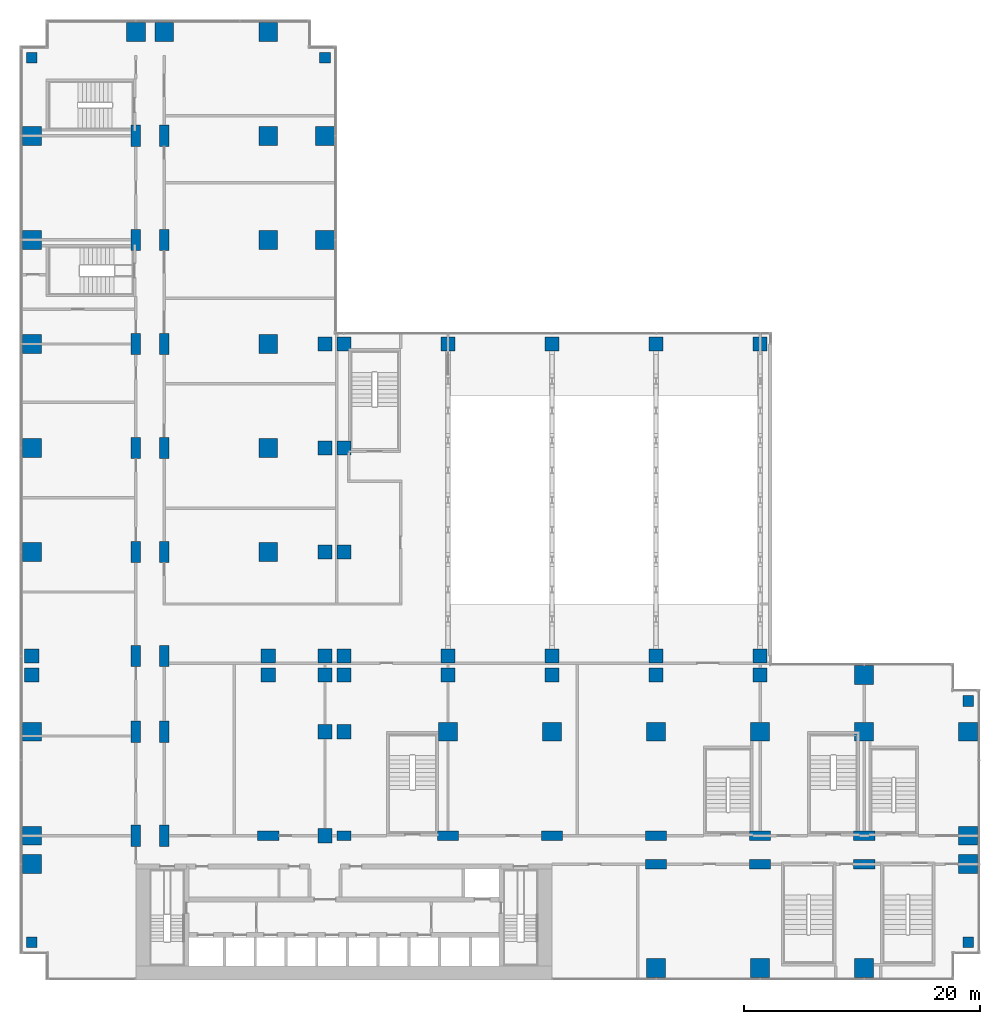
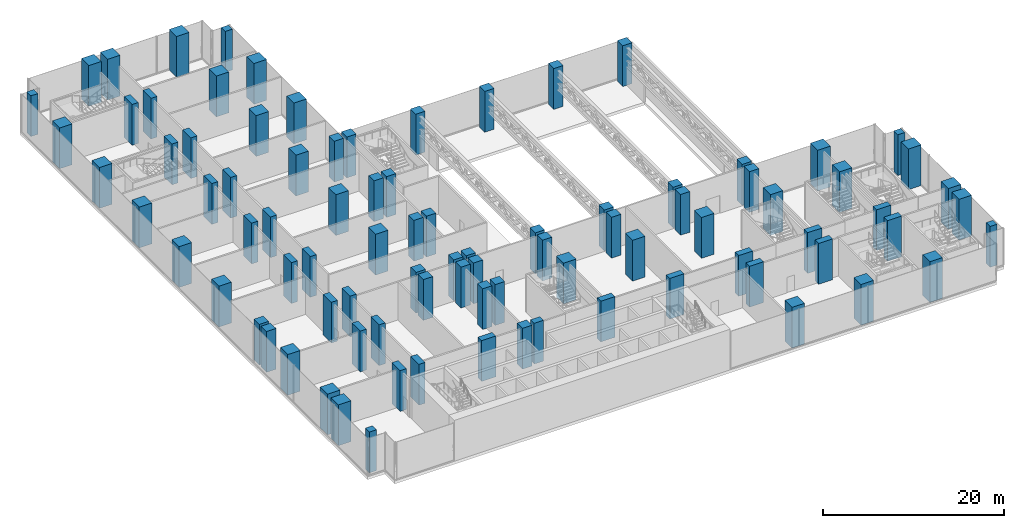
# One storey, part 1 of 30: 90 columns.
"""IFC4 building model written with IfcOpenShell, lengths in metres."""

from ifc_helpers import new_model, si_unit, direction, frame, origin, origin_2d, place, context, subcontext, project, spatial, rectangle, extrude, material, material_profile, profile_set, type_object, element, save


model = new_model("IFC4")

# Units and contexts
model_context = context("Model", 3, precision=1e-05, world=origin(), true_north=direction((0.0, 1.0)))
body_context = subcontext(model_context, "Body", "Model", "MODEL_VIEW")
ifc_project = project(units=[si_unit("LENGTHUNIT", "METRE"), si_unit("AREAUNIT", "SQUARE_METRE"), si_unit("VOLUMEUNIT", "CUBIC_METRE"), si_unit("PLANEANGLEUNIT", "RADIAN"), si_unit("MASSUNIT", "GRAM", prefix="KILO")], contexts=[model_context])

# Site, building, storey
site_placement = place(None, origin())
site = spatial("IfcSite", under=ifc_project, at=site_placement, CompositionType="ELEMENT")
building_placement = place(site_placement, origin())
building = spatial("IfcBuilding", under=site, at=building_placement, Name="Kemantara Hotel Tower", CompositionType="ELEMENT")
storey_placement = place(building_placement, frame((0.0, 0.0, 23.5)))
storey = spatial("IfcBuildingStorey", under=building, at=storey_placement, Name="L04", CompositionType="ELEMENT", Elevation=23.5)

# Columns
ifc_material = material(Name="Concrete fc 70 MPa", Category="concrete")
ifc_material_profile_1 = material_profile(ifc_material, rectangle(XDim=1.199951171875, YDim=1.199951171875, at=origin_2d()), Name="RC 1200X1200")
ifc_profile_set_1 = profile_set([ifc_material_profile_1], Name="Concrete fc 70 MPa")
column_type_1 = type_object("IfcColumnType", Name="RC COLUMN 1200X1200 FC70", PredefinedType="COLUMN", material=ifc_profile_set_1)
for number, where, z_axis, x_axis, name in (
    (1, (1.0, 25.800048828125, 0.0), (0.0, 0.0, 1.0), (1.0, 0.0, 0.0), "COLUMN 1/CA L04"),
    (2, (1.0, 27.39990234375, 0.0), (0.0, 0.0, 1.0), (1.0, 0.0, 0.0), "COLUMN 1/D L04"),
    (3, (21.0, 25.800048828125, 0.0), (0.0, 0.0, 1.0), (1.0, 0.0, 0.0), "COLUMN 3/CA L04"),
    (4, (21.0, 27.39990234375, 0.0), (0.0, 0.0, 1.0), (1.0, 0.0, 0.0), "COLUMN 3/D L04"),
    (5, (25.800048828125, 12.199951171875, 0.0), (0.0, 0.0, 1.0), (1.0, 0.0, 0.0), "COLUMN 3A/BA L04"),
    (6, (25.800048828125, 21.0, 0.0), (0.0, 0.0, 1.0), (1.0, 0.0, 0.0), "COLUMN 3A/C L04"),
    (7, (25.800048828125, 25.800048828125, 0.0), (0.0, 0.0, 1.0), (1.0, 0.0, 0.0), "COLUMN 3A/CA L04"),
    (8, (25.800048828125, 27.39990234375, 0.0), (0.0, 0.0, 1.0), (1.0, 0.0, 0.0), "COLUMN 3A/D L04"),
    (9, (25.800048828125, 36.199951171875, 0.0), (0.0, 0.0, 1.0), (1.0, 0.0, 0.0), "COLUMN 3A/E L04"),
    (10, (25.800048828125, 45.0, 0.0), (0.0, 0.0, 1.0), (1.0, 0.0, 0.0), "COLUMN 3A/F L04"),
    (11, (25.800048828125, 53.800048828125, 0.0), (0.0, 0.0, 1.0), (1.0, 0.0, 0.0), "COLUMN 3A/G L04"),
    (12, (27.39990234375, 21.0, 0.0), (0.0, 0.0, 1.0), (1.0, 0.0, 0.0), "COLUMN 4/C L04"),
    (13, (27.39990234375, 25.800048828125, 0.0), (0.0, 0.0, 1.0), (1.0, 0.0, 0.0), "COLUMN 4/CA L04"),
    (14, (36.199951171875, 25.800048828125, 0.0), (0.0, 0.0, 1.0), (1.0, 0.0, 0.0), "COLUMN 5/CA L04"),
    (15, (45.0, 25.800048828125, 0.0), (0.0, 0.0, 1.0), (1.0, 0.0, 0.0), "COLUMN 6/CA L04"),
    (16, (53.800048828125, 25.800048828125, 0.0), (0.0, 0.0, 1.0), (1.0, 0.0, 0.0), "COLUMN 7/CA L04"),
    (17, (62.60009765625, 25.800048828125, 0.0), (0.0, 0.0, 1.0), (1.0, 0.0, 0.0), "COLUMN 8/CA L04"),
    (18, (27.39990234375, 27.39990234375, 0.0), (0.0, 0.0, 1.0), (1.0, 0.0, 0.0), "COLUMN 4/D L04"),
    (19, (27.39990234375, 36.199951171875, 0.0), (0.0, 0.0, 1.0), (1.0, 0.0, 0.0), "COLUMN 4/E L04"),
    (20, (27.39990234375, 45.0, 0.0), (0.0, 0.0, 1.0), (1.0, 0.0, 0.0), "COLUMN 4/F L04"),
    (21, (27.39990234375, 53.800048828125, 0.0), (0.0, 0.0, 1.0), (1.0, 0.0, 0.0), "COLUMN 4/G L04"),
    (22, (36.199951171875, 27.39990234375, 0.0), (0.0, 0.0, 1.0), (1.0, 0.0, 0.0), "COLUMN 5/D L04"),
    (23, (36.199951171875, 53.800048828125, 0.0), (0.0, 0.0, 1.0), (1.0, 0.0, 0.0), "COLUMN 5/G L04"),
    (24, (45.0, 27.39990234375, 0.0), (0.0, 0.0, 1.0), (1.0, 0.0, 0.0), "COLUMN 6/D L04"),
    (25, (45.0, 53.800048828125, 0.0), (0.0, 0.0, 1.0), (1.0, 0.0, 0.0), "COLUMN 6/G L04"),
    (26, (53.800048828125, 27.39990234375, 0.0), (0.0, 0.0, 1.0), (1.0, 0.0, 0.0), "COLUMN 7/D L04"),
    (27, (53.800048828125, 53.800048828125, 0.0), (0.0, 0.0, 1.0), (1.0, 0.0, 0.0), "COLUMN 7/G L04"),
    (28, (62.60009765625, 27.39990234375, 0.0), (0.0, 0.0, 1.0), (1.0, 0.0, 0.0), "COLUMN 8/D L04"),
    (29, (62.60009765625, 53.800048828125, 0.0), (0.0, 0.0, 1.0), (1.0, 0.0, 0.0), "COLUMN 8/G L04"),
):
    element("IfcColumn", number, at=place(storey_placement, frame(where, z_axis=z_axis, x_axis=x_axis)), inside=storey, type_object=column_type_1, Name=name, PredefinedType="COLUMN", context=body_context, shape_type="SweptSolid", body=[
        extrude(rectangle(XDim=1.199951171875, YDim=1.199951171875, at=origin_2d()), origin(), (0.0, 0.0, 1.0), 5.5),
    ])
ifc_material_profile_2 = material_profile(ifc_material, rectangle(XDim=1.199951171875, YDim=0.800048828125, at=origin_2d()), Name="RC 1200X800")
ifc_profile_set_2 = profile_set([ifc_material_profile_2], Name="Concrete fc 70 MPa")
column_type_2 = type_object("IfcColumnType", Name="RC COLUMN 1200X800 FC70", PredefinedType="COLUMN", material=ifc_profile_set_2)
column_placement = place(storey_placement, frame((27.39990234375, 12.199951171875, 0.0), z_axis=(0.0, 0.0, 1.0), x_axis=(1.0, 0.0, 0.0)))
element("IfcColumn", 30, at=column_placement, inside=storey, type_object=column_type_2, Name="COLUMN 4/BA L04", PredefinedType="COLUMN", context=body_context, shape_type="SweptSolid", body=[
    extrude(rectangle(XDim=1.199951171875, YDim=0.800048828125, at=origin_2d()), origin(), (0.0, 0.0, 1.0), 5.5),
])
ifc_material_profile_3 = material_profile(ifc_material, rectangle(XDim=1.60009765625, YDim=1.60009765625, at=origin_2d()), Name="RC 1600X1600")
ifc_profile_set_3 = profile_set([ifc_material_profile_3], Name="Concrete fc 70 MPa")
column_type_3 = type_object("IfcColumnType", Name="RC COLUMN 1600X1600 FC70", PredefinedType="COLUMN", material=ifc_profile_set_3)
for number, where, z_axis, x_axis, name in (
    (31, (1.0, 9.800048828125, 0.0), (0.0, 0.0, 1.0), (1.0, 0.0, 0.0), "COLUMN 1/B L04"),
    (32, (1.0, 12.199951171875, 0.0), (0.0, 0.0, 1.0), (1.0, 0.0, 0.0), "COLUMN 1/BA L04"),
    (33, (1.0, 21.0, 0.0), (0.0, 0.0, 1.0), (1.0, 0.0, 0.0), "COLUMN 1/C L04"),
    (34, (1.0, 36.199951171875, 0.0), (0.0, 0.0, 1.0), (1.0, 0.0, 0.0), "COLUMN 1/E L04"),
    (35, (1.0, 45.0, 0.0), (0.0, 0.0, 1.0), (1.0, 0.0, 0.0), "COLUMN 1/F L04"),
    (36, (1.0, 53.800048828125, 0.0), (0.0, 0.0, 1.0), (1.0, 0.0, 0.0), "COLUMN 1/G L04"),
    (37, (1.0, 62.60009765625, 0.0), (0.0, 0.0, 1.0), (1.0, 0.0, 0.0), "COLUMN 1/H L04"),
    (38, (1.0, 71.39990234375, 0.0), (0.0, 0.0, 1.0), (1.0, 0.0, 0.0), "COLUMN 1/J L04"),
    (39, (9.800048828125, 80.199951171875, 0.0), (0.0, 0.0, 1.0), (1.0, 0.0, 0.0), "COLUMN 2/K L04"),
    (40, (12.199951171875, 80.199951171875, 0.0), (0.0, 0.0, 1.0), (1.0, 0.0, 0.0), "COLUMN 2A/K L04"),
    (41, (21.0, 36.199951171875, 0.0), (0.0, 0.0, 1.0), (1.0, 0.0, 0.0), "COLUMN 3/E L04"),
    (42, (21.0, 45.0, 0.0), (0.0, 0.0, 1.0), (1.0, 0.0, 0.0), "COLUMN 3/F L04"),
    (43, (21.0, 53.800048828125, 0.0), (0.0, 0.0, 1.0), (1.0, 0.0, 0.0), "COLUMN 3/G L04"),
    (44, (21.0, 62.60009765625, 0.0), (0.0, 0.0, 1.0), (1.0, 0.0, 0.0), "COLUMN 3/H L04"),
    (45, (21.0, 71.39990234375, 0.0), (0.0, 0.0, 1.0), (1.0, 0.0, 0.0), "COLUMN 3/J L04"),
    (46, (21.0, 80.199951171875, 0.0), (0.0, 0.0, 1.0), (1.0, 0.0, 0.0), "COLUMN 3/K L04"),
    (47, (25.800048828125, 62.60009765625, 0.0), (0.0, 0.0, 1.0), (1.0, 0.0, 0.0), "COLUMN 3A/H L04"),
    (48, (25.800048828125, 71.39990234375, 0.0), (0.0, 0.0, 1.0), (1.0, 0.0, 0.0), "COLUMN 3A/J L04"),
    (49, (36.199951171875, 21.0, 0.0), (0.0, 0.0, 1.0), (1.0, 0.0, 0.0), "COLUMN 5/C L04"),
    (50, (45.0, 21.0, 0.0), (0.0, 0.0, 1.0), (1.0, 0.0, 0.0), "COLUMN 6/C L04"),
    (51, (53.800048828125, 1.0, 0.0), (0.0, 0.0, 1.0), (1.0, 0.0, 0.0), "COLUMN 7/A L04"),
    (52, (53.800048828125, 21.0, 0.0), (0.0, 0.0, 1.0), (1.0, 0.0, 0.0), "COLUMN 7/C L04"),
    (53, (62.60009765625, 1.0, 0.0), (0.0, 0.0, 1.0), (1.0, 0.0, 0.0), "COLUMN 8/A L04"),
    (54, (62.60009765625, 21.0, 0.0), (0.0, 0.0, 1.0), (1.0, 0.0, 0.0), "COLUMN 8/C L04"),
    (55, (71.39990234375, 1.0, 0.0), (0.0, 0.0, 1.0), (1.0, 0.0, 0.0), "COLUMN 9/A L04"),
    (56, (71.39990234375, 21.0, 0.0), (0.0, 0.0, 1.0), (1.0, 0.0, 0.0), "COLUMN 9/C L04"),
    (57, (71.39990234375, 25.800048828125, 0.0), (0.0, 0.0, 1.0), (1.0, 0.0, 0.0), "COLUMN 9/CA L04"),
    (58, (80.199951171875, 9.800048828125, 0.0), (0.0, 0.0, 1.0), (1.0, 0.0, 0.0), "COLUMN 10/B L04"),
    (59, (80.199951171875, 12.199951171875, 0.0), (0.0, 0.0, 1.0), (1.0, 0.0, 0.0), "COLUMN 10/BA L04"),
    (60, (80.199951171875, 21.0, 0.0), (0.0, 0.0, 1.0), (1.0, 0.0, 0.0), "COLUMN 10/C L04"),
):
    element("IfcColumn", number, at=place(storey_placement, frame(where, z_axis=z_axis, x_axis=x_axis)), inside=storey, type_object=column_type_3, Name=name, PredefinedType="COLUMN", context=body_context, shape_type="SweptSolid", body=[
        extrude(rectangle(XDim=1.60009765625, YDim=1.60009765625, at=origin_2d()), origin(), (0.0, 0.0, 1.0), 5.5),
    ])
ifc_material_profile_4 = material_profile(ifc_material, rectangle(XDim=1.800048828125, YDim=0.800048828125, at=origin_2d()), Name="RC 1800X800")
ifc_profile_set_4 = profile_set([ifc_material_profile_4], Name="Concrete fc 70 MPa")
column_type_4 = type_object("IfcColumnType", Name="RC COLUMN 1800X800 FC70", PredefinedType="COLUMN", material=ifc_profile_set_4)
for number, where, z_axis, x_axis, name in (
    (61, (9.800048828125, 12.199951171875, 0.0), (0.0, 0.0, 1.0), (0.0, 1.0, 0.0), "COLUMN 2/BA L04"),
    (62, (9.800048828125, 21.0, 0.0), (0.0, 0.0, 1.0), (0.0, 1.0, 0.0), "COLUMN 2/C L04"),
    (63, (9.800048828125, 27.39990234375, 0.0), (0.0, 0.0, 1.0), (0.0, 1.0, 0.0), "COLUMN 2/D L04"),
    (64, (9.800048828125, 36.199951171875, 0.0), (0.0, 0.0, 1.0), (0.0, 1.0, 0.0), "COLUMN 2/E L04"),
    (65, (9.800048828125, 45.0, 0.0), (0.0, 0.0, 1.0), (0.0, 1.0, 0.0), "COLUMN 2/F L04"),
    (66, (9.800048828125, 53.800048828125, 0.0), (0.0, 0.0, 1.0), (0.0, 1.0, 0.0), "COLUMN 2/G L04"),
    (67, (9.800048828125, 62.60009765625, 0.0), (0.0, 0.0, 1.0), (0.0, 1.0, 0.0), "COLUMN 2/H L04"),
    (68, (9.800048828125, 71.39990234375, 0.0), (0.0, 0.0, 1.0), (0.0, 1.0, 0.0), "COLUMN 2/J L04"),
    (69, (12.199951171875, 12.199951171875, 0.0), (0.0, 0.0, 1.0), (0.0, 1.0, 0.0), "COLUMN 2A/BA L04"),
    (70, (12.199951171875, 21.0, 0.0), (0.0, 0.0, 1.0), (0.0, 1.0, 0.0), "COLUMN 2A/C L04"),
    (71, (12.199951171875, 27.39990234375, 0.0), (0.0, 0.0, 1.0), (0.0, 1.0, 0.0), "COLUMN 2A/D L04"),
    (72, (12.199951171875, 36.199951171875, 0.0), (0.0, 0.0, 1.0), (0.0, 1.0, 0.0), "COLUMN 2A/E L04"),
    (73, (12.199951171875, 45.0, 0.0), (0.0, 0.0, 1.0), (0.0, 1.0, 0.0), "COLUMN 2A/F L04"),
    (74, (12.199951171875, 53.800048828125, 0.0), (0.0, 0.0, 1.0), (0.0, 1.0, 0.0), "COLUMN 2A/G L04"),
    (75, (12.199951171875, 62.60009765625, 0.0), (0.0, 0.0, 1.0), (0.0, 1.0, 0.0), "COLUMN 2A/H L04"),
    (76, (12.199951171875, 71.39990234375, 0.0), (0.0, 0.0, 1.0), (0.0, 1.0, 0.0), "COLUMN 2A/J L04"),
    (77, (21.0, 12.199951171875, 0.0), (0.0, 0.0, 1.0), (1.0, 0.0, 0.0), "COLUMN 3/BA L04"),
    (78, (36.199951171875, 12.199951171875, 0.0), (0.0, 0.0, 1.0), (1.0, 0.0, 0.0), "COLUMN 5/BA L04"),
    (79, (45.0, 12.199951171875, 0.0), (0.0, 0.0, 1.0), (1.0, 0.0, 0.0), "COLUMN 6/BA L04"),
    (80, (53.800048828125, 9.800048828125, 0.0), (0.0, 0.0, 1.0), (1.0, 0.0, 0.0), "COLUMN 7/B L04"),
    (81, (53.800048828125, 12.199951171875, 0.0), (0.0, 0.0, 1.0), (1.0, 0.0, 0.0), "COLUMN 7/BA L04"),
    (82, (62.60009765625, 9.800048828125, 0.0), (0.0, 0.0, 1.0), (1.0, 0.0, 0.0), "COLUMN 8/B L04"),
    (83, (62.60009765625, 12.199951171875, 0.0), (0.0, 0.0, 1.0), (1.0, 0.0, 0.0), "COLUMN 8/BA L04"),
    (84, (71.39990234375, 9.800048828125, 0.0), (0.0, 0.0, 1.0), (1.0, 0.0, 0.0), "COLUMN 9/B L04"),
    (85, (71.39990234375, 12.199951171875, 0.0), (0.0, 0.0, 1.0), (1.0, 0.0, 0.0), "COLUMN 9/BA L04"),
):
    element("IfcColumn", number, at=place(storey_placement, frame(where, z_axis=z_axis, x_axis=x_axis)), inside=storey, type_object=column_type_4, Name=name, PredefinedType="COLUMN", context=body_context, shape_type="SweptSolid", body=[
        extrude(rectangle(XDim=1.800048828125, YDim=0.800048828125, at=origin_2d()), origin(), (0.0, 0.0, 1.0), 5.5),
    ])
ifc_material_profile_5 = material_profile(ifc_material, rectangle(XDim=0.89990234375, YDim=0.89990234375, at=origin_2d()), Name="RC 900X900")
ifc_profile_set_5 = profile_set([ifc_material_profile_5], Name="Concrete fc 70 MPa")
column_type_5 = type_object("IfcColumnType", Name="RC COLUMN 900X900 FC70", PredefinedType="COLUMN", material=ifc_profile_set_5)
for number, where, z_axis, x_axis, name in (
    (86, (1.0, 3.199951171875, 0.0), (0.0, 0.0, 1.0), (1.0, 0.0, 0.0), "COLUMN notch corner L04"),
    (87, (1.0, 78.0, 0.0), (0.0, 0.0, 1.0), (1.0, 0.0, 0.0), "COLUMN notch corner L04"),
    (88, (25.800048828125, 78.0, 0.0), (0.0, 0.0, 1.0), (1.0, 0.0, 0.0), "COLUMN notch corner L04"),
    (89, (80.199951171875, 3.199951171875, 0.0), (0.0, 0.0, 1.0), (1.0, 0.0, 0.0), "COLUMN notch corner L04"),
    (90, (80.199951171875, 23.60009765625, 0.0), (0.0, 0.0, 1.0), (1.0, 0.0, 0.0), "COLUMN notch corner L04"),
):
    element("IfcColumn", number, at=place(storey_placement, frame(where, z_axis=z_axis, x_axis=x_axis)), inside=storey, type_object=column_type_5, Name=name, PredefinedType="COLUMN", context=body_context, shape_type="SweptSolid", body=[
        extrude(rectangle(XDim=0.89990234375, YDim=0.89990234375, at=origin_2d()), origin(), (0.0, 0.0, 1.0), 5.5),
    ])

save(model, "model.ifc")
